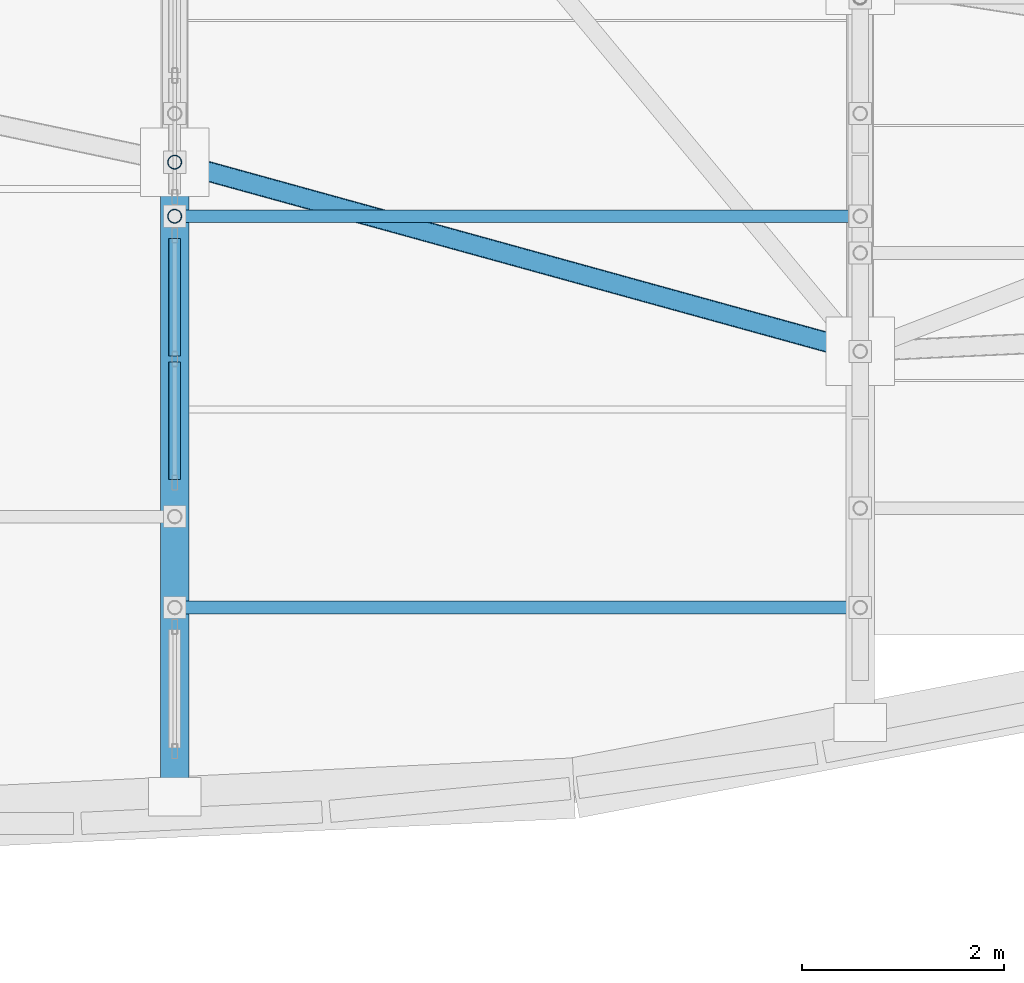
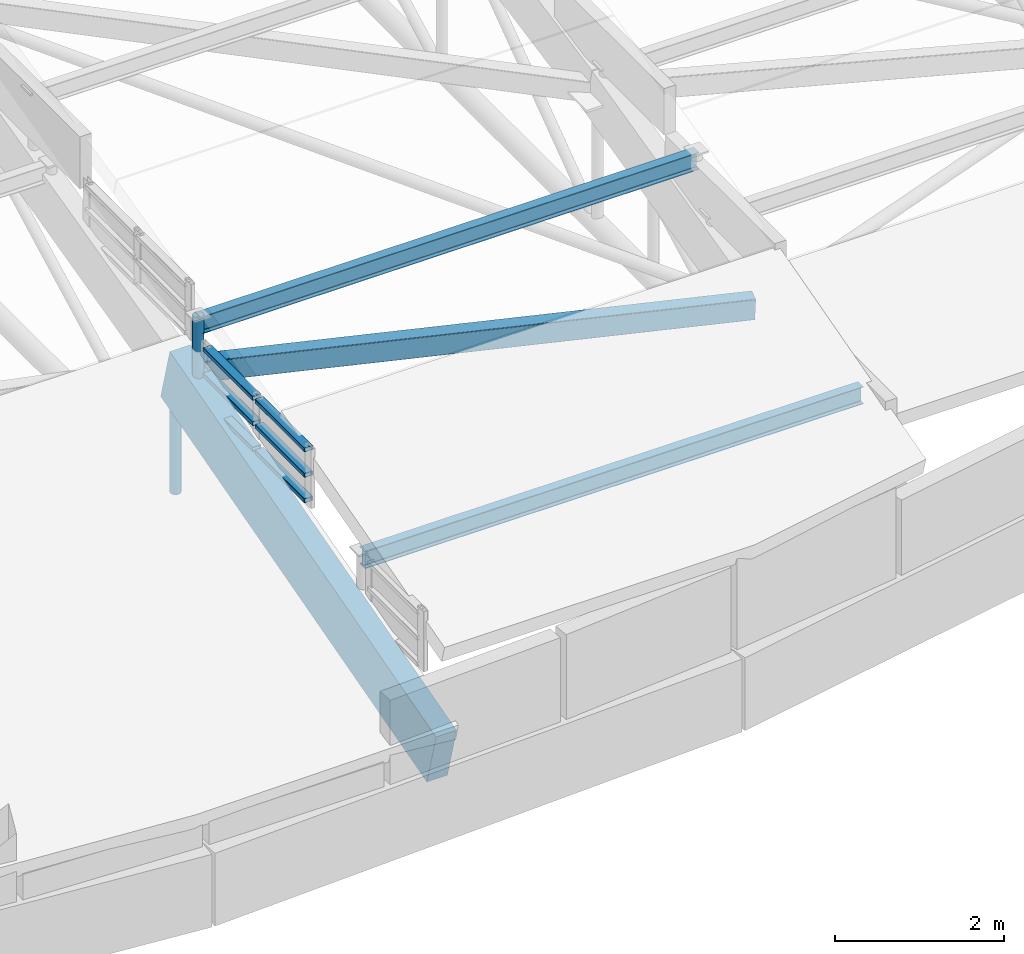
# One storey, part 7 of 188: 12 members, 1 element without a shape of its own.
"""IFC4 building model written with IfcOpenShell, lengths in metres."""

from ifc_helpers import new_model, si_unit, direction, frame, origin, origin_2d, place, context, subcontext, project, spatial, rectangle, hollow_rectangle, hollow_circle, i_section, extrude, material, layer, layer_set, material_profile, profile_set, type_object, element, aggregate, save


model = new_model("IFC4")

# Units and contexts
model_context = context("Model", 3, precision=1e-05, world=origin(), true_north=direction((0.0, 1.0)))
body_context = subcontext(model_context, "Body", "Model", "MODEL_VIEW")
ifc_project = project(units=[si_unit("LENGTHUNIT", "METRE"), si_unit("AREAUNIT", "SQUARE_METRE"), si_unit("VOLUMEUNIT", "CUBIC_METRE"), si_unit("PLANEANGLEUNIT", "RADIAN"), si_unit("MASSUNIT", "GRAM", prefix="KILO")], contexts=[model_context])

# Site, building, storey
site_placement = place(None, origin())
site = spatial("IfcSite", under=ifc_project, at=site_placement, CompositionType="ELEMENT")
building_placement = place(site_placement, origin())
building = spatial("IfcBuilding", under=site, at=building_placement, Name="Kisaragi Civic Commons", CompositionType="ELEMENT")
storey_placement = place(building_placement, frame((0.0, 0.0, 9.60009765625)))
storey = spatial("IfcBuildingStorey", under=building, at=storey_placement, Name="L02", CompositionType="ELEMENT", Elevation=9.60009765625)

# Curtain wall, members
ifc_material_1 = material(Name="Thermally broken anodized aluminium and low-E double glazing", Category="aluminium")
ifc_layer = layer(ifc_material_1, 0.14990234375, Name="Thermally broken anodized aluminium and low-E double glazing", Category="aluminium")
ifc_layer_set = layer_set([ifc_layer], Name="Thermally broken anodized aluminium and low-E double glazing")
curtain_wall_type = type_object("IfcCurtainWallType", Name="CW-03", PredefinedType="NOTDEFINED", material=ifc_layer_set)
curtain_wall_placement = place(storey_placement, origin())
curtain_wall = element("IfcCurtainWall", 1, at=curtain_wall_placement, inside=storey, type_object=curtain_wall_type, Name="L02 curtain wall CW-03 CW-CL-V1-165", PredefinedType="NOTDEFINED")
ifc_material_profile_1 = material_profile(ifc_material_1, hollow_rectangle(XDim=0.1201171875, YDim=0.06005859375, WallThickness=0.00390625, InnerFilletRadius=0.00390625, OuterFilletRadius=0.008056640625, at=origin_2d()), Name="CWT-60x120x4", Category="aluminium")
ifc_profile_set_1 = profile_set([ifc_material_profile_1], Name="Thermally broken anodized aluminium and low-E double glazing")
member_type_1 = type_object("IfcMemberType", Name="CWT-01", PredefinedType="USERDEFINED", material=ifc_profile_set_1)
member_1_placement = place(storey_placement, frame((27.199951171875, 4.7685546875, 1.333740234375), z_axis=(0.0, 1.0, 0.0), x_axis=(-1.0, 0.0, 0.0)))
member_1 = element("IfcMember", 2, at=member_1_placement, type_object=member_type_1, Name="CW-03 transom 1.1", ObjectType="TRANSOM", PredefinedType="USERDEFINED", context=body_context, shape_type="SweptSolid", body=[
    extrude(hollow_rectangle(XDim=0.1201171875, YDim=0.06005859375, WallThickness=0.00390625, InnerFilletRadius=0.00390625, OuterFilletRadius=0.008056640625, at=origin_2d()), origin(), (0.0, 0.0, 1.0), 1.166259765625),
])
member_2_placement = place(storey_placement, frame((27.199951171875, 4.7685546875, 1.7001953125), z_axis=(0.0, 1.0, 0.0), x_axis=(-1.0, 0.0, 0.0)))
member_2 = element("IfcMember", 3, at=member_2_placement, type_object=member_type_1, Name="CW-03 transom 1.2", ObjectType="TRANSOM", PredefinedType="USERDEFINED", context=body_context, shape_type="SweptSolid", body=[
    extrude(hollow_rectangle(XDim=0.1201171875, YDim=0.06005859375, WallThickness=0.00390625, InnerFilletRadius=0.00390625, OuterFilletRadius=0.008056640625, at=origin_2d()), origin(), (0.0, 0.0, 1.0), 1.166259765625),
])
member_3_placement = place(storey_placement, frame((27.199951171875, 4.7685546875, 2.06640625), z_axis=(0.0, 1.0, 0.0), x_axis=(-1.0, 0.0, 0.0)))
member_3 = element("IfcMember", 4, at=member_3_placement, type_object=member_type_1, Name="CW-03 transom 1.3", ObjectType="TRANSOM", PredefinedType="USERDEFINED", context=body_context, shape_type="SweptSolid", body=[
    extrude(hollow_rectangle(XDim=0.1201171875, YDim=0.06005859375, WallThickness=0.00390625, InnerFilletRadius=0.00390625, OuterFilletRadius=0.008056640625, at=origin_2d()), origin(), (0.0, 0.0, 1.0), 1.166259765625),
])
member_4_placement = place(storey_placement, frame((27.199951171875, 5.99462890625, 1.333740234375), z_axis=(0.0, 1.0, 0.0), x_axis=(-1.0, 0.0, 0.0)))
member_4 = element("IfcMember", 5, at=member_4_placement, type_object=member_type_1, Name="CW-03 transom 2.1", ObjectType="TRANSOM", PredefinedType="USERDEFINED", context=body_context, shape_type="SweptSolid", body=[
    extrude(hollow_rectangle(XDim=0.1201171875, YDim=0.06005859375, WallThickness=0.00390625, InnerFilletRadius=0.00390625, OuterFilletRadius=0.008056640625, at=origin_2d()), origin(), (0.0, 0.0, 1.0), 1.166259765625),
])
member_5_placement = place(storey_placement, frame((27.199951171875, 5.99462890625, 1.7001953125), z_axis=(0.0, 1.0, 0.0), x_axis=(-1.0, 0.0, 0.0)))
member_5 = element("IfcMember", 6, at=member_5_placement, type_object=member_type_1, Name="CW-03 transom 2.2", ObjectType="TRANSOM", PredefinedType="USERDEFINED", context=body_context, shape_type="SweptSolid", body=[
    extrude(hollow_rectangle(XDim=0.1201171875, YDim=0.06005859375, WallThickness=0.00390625, InnerFilletRadius=0.00390625, OuterFilletRadius=0.008056640625, at=origin_2d()), origin(), (0.0, 0.0, 1.0), 1.166259765625),
])
member_6_placement = place(storey_placement, frame((27.199951171875, 5.99462890625, 2.06640625), z_axis=(0.0, 1.0, 0.0), x_axis=(-1.0, 0.0, 0.0)))
member_6 = element("IfcMember", 7, at=member_6_placement, type_object=member_type_1, Name="CW-03 transom 2.3", ObjectType="TRANSOM", PredefinedType="USERDEFINED", context=body_context, shape_type="SweptSolid", body=[
    extrude(hollow_rectangle(XDim=0.1201171875, YDim=0.06005859375, WallThickness=0.00390625, InnerFilletRadius=0.00390625, OuterFilletRadius=0.008056640625, at=origin_2d()), origin(), (0.0, 0.0, 1.0), 1.166259765625),
])
aggregate(curtain_wall, [member_1, member_2, member_3, member_4, member_5, member_6])

# Members
ifc_material_2 = material(Name="Steel SN490 (SN490B)", Category="steel")
ifc_material_profile_2 = material_profile(ifc_material_2, hollow_rectangle(XDim=0.199951171875, YDim=0.300048828125, WallThickness=0.009033203125, InnerFilletRadius=0.009033203125, OuterFilletRadius=0.01806640625, at=origin_2d()), Name="STKR-300x200x9", Category="steel")
ifc_profile_set_2 = profile_set([ifc_material_profile_2], Name="Steel SN490 (SN490B)")
member_type_2 = type_object("IfcMemberType", Name="GC-02", PredefinedType="CHORD", material=ifc_profile_set_2)
member_7_placement = place(storey_placement, frame((27.199951171875, 7.9169921875, 1.28662109375), z_axis=(0.963076997163, -0.265829029339, -0.042633609934), x_axis=(0.266070947882, 0.963953448406, 0.0)))
element("IfcMember", 8, at=member_7_placement, inside=storey, type_object=member_type_2, Name="V1 wave gridshell chord GC-02 29", PredefinedType="CHORD", context=body_context, shape_type="SweptSolid", body=[
    extrude(hollow_rectangle(XDim=0.199951171875, YDim=0.300048828125, WallThickness=0.009033203125, InnerFilletRadius=0.009033203125, OuterFilletRadius=0.01806640625, at=origin_2d()), origin(), (0.0, 0.0, 1.0), 7.060791015625),
])
ifc_material_3 = material(Name="Glulam E120-F330", Category="wood")
ifc_material_profile_3 = material_profile(ifc_material_3, rectangle(XDim=0.280029296875, YDim=0.81005859375, at=origin_2d()), Name="GL-280x810", Category="wood")
ifc_profile_set_3 = profile_set([ifc_material_profile_3], Name="Glulam E120-F330")
member_type_3 = type_object("IfcMemberType", Name="GR-01", PredefinedType="RAFTER", material=ifc_profile_set_3)
member_8_placement = place(storey_placement, frame((27.199951171875, 1.622314453125, -0.458984375), z_axis=(0.0, 0.963632943266, 0.267229397058), x_axis=(-1.0, 0.0, 0.0)))
element("IfcMember", 9, at=member_8_placement, inside=storey, type_object=member_type_3, Name="V1 glulam arch rib GR-01 33", PredefinedType="RAFTER", context=body_context, shape_type="SweptSolid", body=[
    extrude(rectangle(XDim=0.280029296875, YDim=0.81005859375, at=origin_2d()), origin(), (0.0, 0.0, 1.0), 6.5322265625),
])
ifc_material_4 = material(Name="Steel SN400 (SN400B)", Category="steel")
ifc_material_profile_4 = material_profile(ifc_material_4, i_section(OverallWidth=0.125, OverallDepth=0.25, WebThickness=0.006103515625, FlangeThickness=0.009033203125, FilletRadius=0.008056640625, at=origin_2d()), Name="H-250x125x6x9", Category="steel")
ifc_profile_set_4 = profile_set([ifc_material_profile_4], Name="Steel SN400 (SN400B)")
member_type_4 = type_object("IfcMemberType", Name="PR-01", PredefinedType="PURLIN", material=ifc_profile_set_4)
for number, where, z_axis, x_axis, name in (
    (10, (27.199951171875, 3.499267578125, 1.2666015625), (1.0, 0.0, 0.0), (0.0, 1.0, 0.0), "V1 wave vault steel purlin 33"),
    (11, (27.199951171875, 7.380859375, 2.292236328125), (1.0, 0.0, 0.0), (0.0, 1.0, 0.0), "V1 wave vault steel purlin 34"),
):
    element("IfcMember", number, at=place(storey_placement, frame(where, z_axis=z_axis, x_axis=x_axis)), inside=storey, type_object=member_type_4, Name=name, PredefinedType="PURLIN", context=body_context, shape_type="SweptSolid", body=[
        extrude(i_section(OverallWidth=0.125, OverallDepth=0.25, WebThickness=0.006103515625, FlangeThickness=0.009033203125, FilletRadius=0.008056640625, at=origin_2d()), origin(), (0.0, 0.0, 1.0), 6.800048828125),
    ])
ifc_material_profile_5 = material_profile(ifc_material_2, hollow_circle(Radius=0.06982421875, WallThickness=0.006103515625, at=origin_2d()), Name="CHS-139.8x6.0", Category="steel")
ifc_profile_set_5 = profile_set([ifc_material_profile_5], Name="Steel SN490 (SN490B)")
member_type_5 = type_object("IfcMemberType", Name="ST-H1", PredefinedType="STRUT", material=ifc_profile_set_5)
member_9_placement = place(storey_placement, frame((27.199951171875, 7.9169921875, -0.458984375), z_axis=(0.0, 0.0, 1.0), x_axis=(1.0, 0.0, 0.0)))
element("IfcMember", 12, at=member_9_placement, inside=storey, type_object=member_type_5, Name="V1 arch tie hanger strut 56", PredefinedType="STRUT", context=body_context, shape_type="SweptSolid", body=[
    extrude(hollow_circle(Radius=0.06982421875, WallThickness=0.006103515625, at=origin_2d()), origin(), (0.0, 0.0, 1.0), 1.74560546875),
])
member_10_placement = place(storey_placement, frame((27.199951171875, 7.380859375, 1.137939453125), z_axis=(0.0, 0.0, 1.0), x_axis=(1.0, 0.0, 0.0)))
element("IfcMember", 13, at=member_10_placement, inside=storey, type_object=member_type_5, Name="V1 clerestory monitor horizontal tie strut 5.4.2", PredefinedType="STRUT", context=body_context, shape_type="SweptSolid", body=[
    extrude(hollow_circle(Radius=0.06982421875, WallThickness=0.006103515625, at=origin_2d()), origin(), (0.0, 0.0, 1.0), 1.279296875),
])

save(model, "model.ifc")
